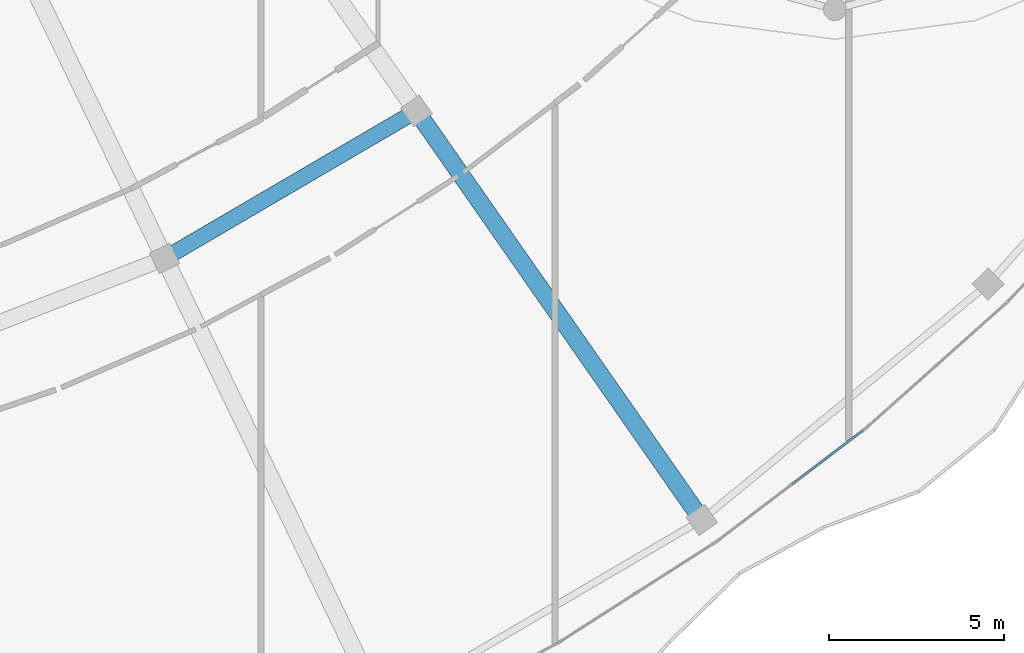
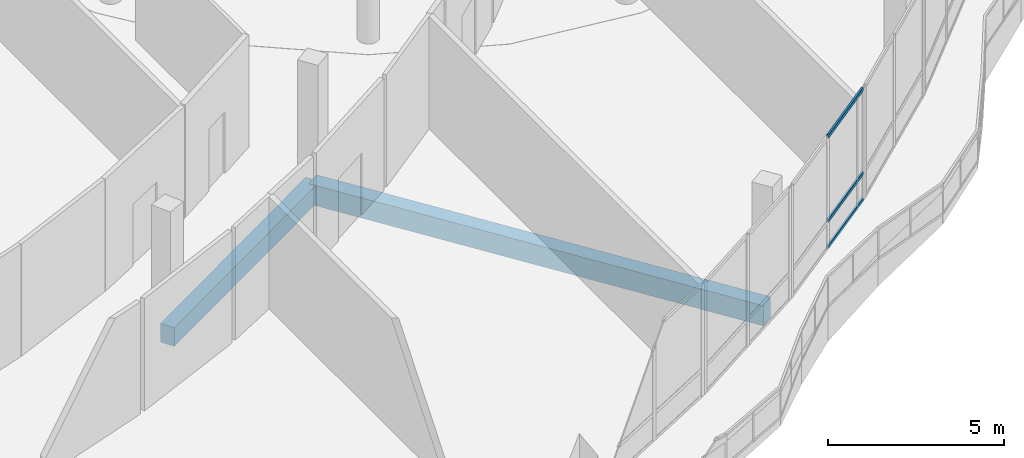
# One storey, part 49 of 184: 3 members, 2 beams, 1 element without a shape of its own.
"""IFC4 building model written with IfcOpenShell, lengths in metres."""

from ifc_helpers import new_model, si_unit, direction, frame, origin, origin_2d, place, context, subcontext, project, spatial, rectangle, hollow_rectangle, extrude, material, material_profile, profile_set, type_object, element, aggregate, save


model = new_model("IFC4")

# Units and contexts
model_context = context("Model", 3, precision=1e-05, world=origin(), true_north=direction((0.0, 1.0)))
body_context = subcontext(model_context, "Body", "Model", "MODEL_VIEW")
ifc_project = project(units=[si_unit("LENGTHUNIT", "METRE"), si_unit("AREAUNIT", "SQUARE_METRE"), si_unit("VOLUMEUNIT", "CUBIC_METRE"), si_unit("PLANEANGLEUNIT", "RADIAN"), si_unit("MASSUNIT", "GRAM", prefix="KILO")], contexts=[model_context])

# Site, building, storey
site_placement = place(None, origin())
site = spatial("IfcSite", under=ifc_project, at=site_placement, CompositionType="ELEMENT")
building_placement = place(site_placement, origin())
building = spatial("IfcBuilding", under=site, at=building_placement, Name="Selatvlak General Hospital", CompositionType="ELEMENT")
storey_placement = place(building_placement, frame((0.0, 0.0, 15.0)))
storey = spatial("IfcBuildingStorey", under=building, at=storey_placement, Name="L03", CompositionType="ELEMENT", Elevation=15.0)

# Beams
ifc_material_1 = material(Name="Concrete C40/50", Category="concrete")
ifc_material_profile_1 = material_profile(ifc_material_1, rectangle(XDim=0.5, YDim=0.699951171875, at=origin_2d()), Name="RC-BM 500x700")
ifc_profile_set_1 = profile_set([ifc_material_profile_1], Name="Concrete C40/50")
beam_type_1 = type_object("IfcBeamType", Name="BM-G03", PredefinedType="BEAM", material=ifc_profile_set_1)
beam_1_placement = place(storey_placement, frame((86.041015625, 36.444091796875, -0.68994140625), z_axis=(0.572196870903, -0.820116297198, 0.0), x_axis=(0.820116297198, 0.572196870903, 0.0)))
element("IfcBeam", 1, at=beam_1_placement, inside=storey, type_object=beam_type_1, Name="Beam BMR-L03-1472", PredefinedType="BEAM", context=body_context, shape_type="SweptSolid", body=[
    extrude(rectangle(XDim=0.5, YDim=0.699951171875, at=origin_2d()), origin(), (0.0, 0.0, 1.0), 14.25048828125),
])
ifc_material_profile_2 = material_profile(ifc_material_1, rectangle(XDim=0.449951171875, YDim=0.64990234375, at=origin_2d()), Name="RC-BM 450x650")
ifc_profile_set_2 = profile_set([ifc_material_profile_2], Name="Concrete C40/50")
beam_type_2 = type_object("IfcBeamType", Name="BM-G04", PredefinedType="BEAM", material=ifc_profile_set_2)
beam_2_placement = place(storey_placement, frame((78.842041015625, 32.22998046875, -0.6650390625), z_axis=(0.863010423481, 0.505186113193, 0.0), x_axis=(-0.505186113193, 0.863010423481, 0.0)))
element("IfcBeam", 2, at=beam_2_placement, inside=storey, type_object=beam_type_2, Name="Beam BMR-L03-1490", PredefinedType="BEAM", context=body_context, shape_type="SweptSolid", body=[
    extrude(rectangle(XDim=0.449951171875, YDim=0.64990234375, at=origin_2d()), origin(), (0.0, 0.0, 1.0), 8.341796875),
])

# Curtain wall, members
ifc_material_2 = material(Name="Solar-control Low-E double glazing", Category="glass")
curtain_wall_type = type_object("IfcCurtainWallType", Name="CW-CW-01", PredefinedType="USERDEFINED", material=ifc_material_2)
curtain_wall_placement = place(storey_placement, origin())
curtain_wall = element("IfcCurtainWall", 3, at=curtain_wall_placement, inside=storey, type_object=curtain_wall_type, Name="Glazed facade curtain wall CW-L03-0419", ObjectType="UNITISED CURTAIN WALL", PredefinedType="USERDEFINED")
ifc_material_3 = material(Name="Dark anodised aluminium mullion", Category="aluminium")
ifc_material_profile_3 = material_profile(ifc_material_3, hollow_rectangle(XDim=0.06494140625, YDim=0.1201171875, WallThickness=0.00390625, at=origin_2d()), Name="AL-TRN 65x120x4")
ifc_profile_set_3 = profile_set([ifc_material_profile_3], Name="Dark anodised aluminium mullion")
member_type = type_object("IfcMemberType", Name="CWT-01", PredefinedType="USERDEFINED", material=ifc_profile_set_3)
member_1_placement = place(storey_placement, frame((98.797119140625, 27.309814453125, 0.032470703125), z_axis=(-0.796535238332, -0.604592105552, 0.0), x_axis=(0.604592105552, -0.796535238332, 0.0)))
member_1 = element("IfcMember", 4, at=member_1_placement, type_object=member_type, Name="CW-01 transom 1.1", ObjectType="TRANSOM", PredefinedType="USERDEFINED", context=body_context, shape_type="SweptSolid", body=[
    extrude(hollow_rectangle(XDim=0.06494140625, YDim=0.1201171875, WallThickness=0.00390625, at=origin_2d()), origin(), (0.0, 0.0, 1.0), 2.54638671875),
])
member_2_placement = place(storey_placement, frame((98.797119140625, 27.309814453125, 0.949951171875), z_axis=(-0.796535238332, -0.604592105552, 0.0), x_axis=(0.604592105552, -0.796535238332, 0.0)))
member_2 = element("IfcMember", 5, at=member_2_placement, type_object=member_type, Name="CW-01 transom 1.2", ObjectType="TRANSOM", PredefinedType="USERDEFINED", context=body_context, shape_type="SweptSolid", body=[
    extrude(hollow_rectangle(XDim=0.06494140625, YDim=0.1201171875, WallThickness=0.00390625, at=origin_2d()), origin(), (0.0, 0.0, 1.0), 2.54638671875),
])
member_3_placement = place(storey_placement, frame((98.797119140625, 27.309814453125, 3.862548828125), z_axis=(-0.796535238332, -0.604592105552, 0.0), x_axis=(0.604592105552, -0.796535238332, 0.0)))
member_3 = element("IfcMember", 6, at=member_3_placement, type_object=member_type, Name="CW-01 transom 1.3", ObjectType="TRANSOM", PredefinedType="USERDEFINED", context=body_context, shape_type="SweptSolid", body=[
    extrude(hollow_rectangle(XDim=0.06494140625, YDim=0.1201171875, WallThickness=0.00390625, at=origin_2d()), origin(), (0.0, 0.0, 1.0), 2.54638671875),
])
aggregate(curtain_wall, [member_1, member_2, member_3])

save(model, "model.ifc")
